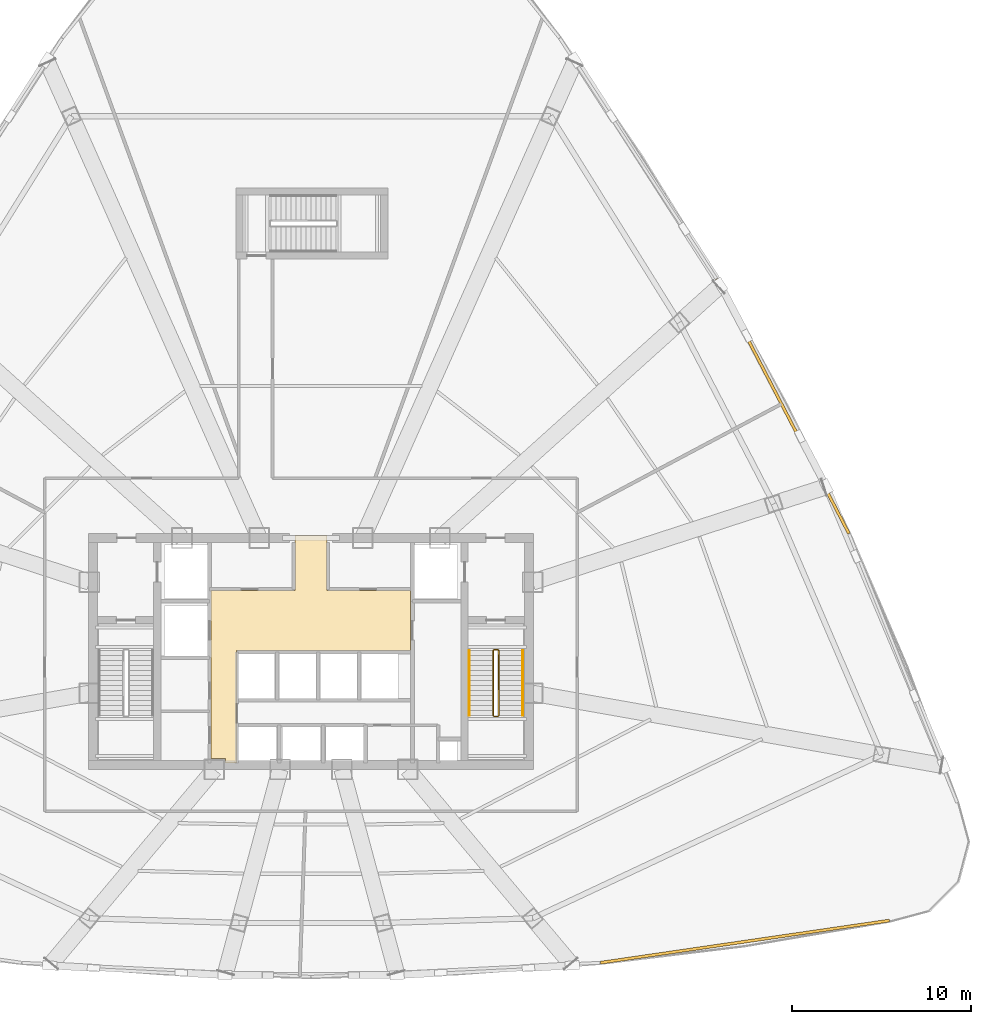
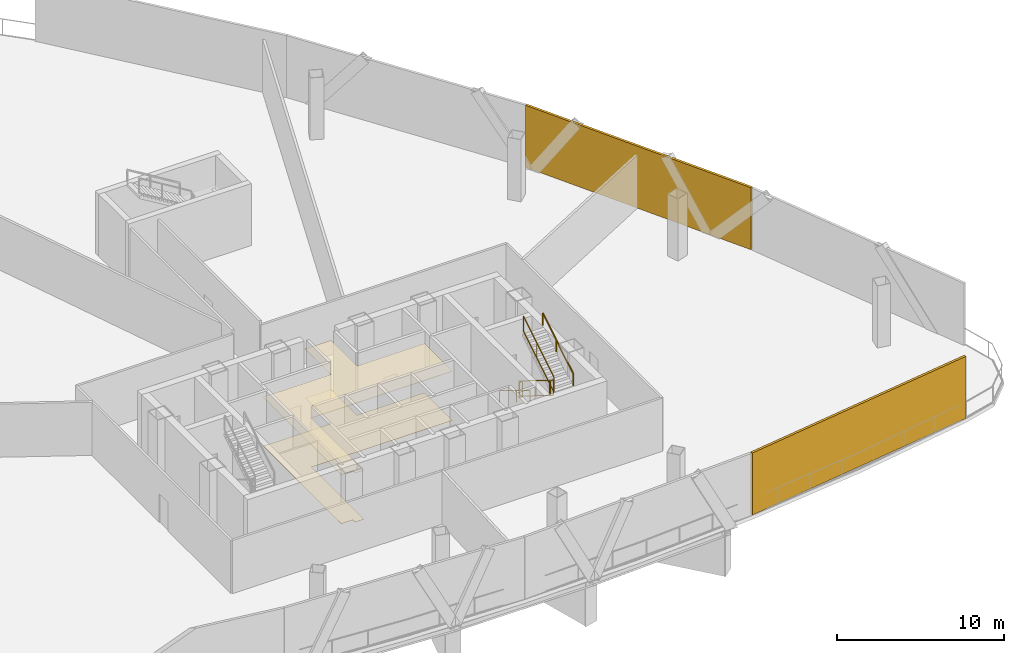
# One storey, part 11 of 14: 6 railings, 2 coverings, 2 shading devices.
"""IFC4 building model written with IfcOpenShell, lengths in metres."""

from ifc_helpers import new_model, si_unit, direction, frame, origin, origin_2d, place, context, subcontext, project, spatial, polyline, rectangle, outline, extrude, source, transform, mapped, material, layer, layer_set, type_object, element, save


model = new_model("IFC4")

# Units and contexts
model_context = context("Model", 3, precision=1e-05, world=origin(), true_north=direction((0.0, 1.0)))
body_context = subcontext(model_context, "Body", "Model", "MODEL_VIEW")
ifc_project = project(units=[si_unit("LENGTHUNIT", "METRE"), si_unit("AREAUNIT", "SQUARE_METRE"), si_unit("VOLUMEUNIT", "CUBIC_METRE"), si_unit("PLANEANGLEUNIT", "RADIAN"), si_unit("MASSUNIT", "GRAM", prefix="KILO"), si_unit("THERMODYNAMICTEMPERATUREUNIT", "KELVIN"), si_unit("POWERUNIT", "WATT")], contexts=[model_context])

# Site, building, storey
site_placement = place(None, origin())
site = spatial("IfcSite", under=ifc_project, at=site_placement, CompositionType="ELEMENT")
building_placement = place(site_placement, origin())
building = spatial("IfcBuilding", under=site, at=building_placement, Name="Yunzhuo Pagoda Commons", CompositionType="ELEMENT")
storey_placement = place(building_placement, frame((0.0, 0.0, 224.81005859375)))
storey = spatial("IfcBuildingStorey", under=building, at=storey_placement, Name="L56", CompositionType="ELEMENT", Elevation=224.81005859375)

# Coverings
ifc_material_1 = material(Name="Perforated gypsum acoustic ceiling tile")
ifc_layer_1 = layer(ifc_material_1, 0.030029296875)
ifc_layer_set_1 = layer_set([ifc_layer_1], Name="Perforated gypsum acoustic ceiling tile")
covering_type_1 = type_object("IfcCoveringType", Name="COV-CL2 Ceiling 30", PredefinedType="CEILING", material=ifc_layer_set_1)
covering_1_placement = place(storey_placement, frame((0.0, 0.0, 3.58984375)))
element("IfcCovering", 1, at=covering_1_placement, inside=storey, type_object=covering_type_1, Name="L56 lift lobby acoustic ceiling", PredefinedType="CEILING", context=body_context, shape_type="SweptSolid", body=[
    extrude(outline(polyline([(43.207763671875, 27.85009765625), (43.201904296875, 27.864013671875), (43.187744140625, 27.8701171875), (42.39990234375, 27.8701171875), (42.39990234375, 33.89990234375), (42.39990234375, 37.25), (47.10009765625, 37.25), (47.10009765625, 40.35009765625), (48.89990234375, 40.35009765625), (48.89990234375, 37.25), (53.580078125, 37.25), (53.580078125, 33.89990234375), (43.820068359375, 33.89990234375), (43.820068359375, 27.60009765625), (43.207763671875, 27.60009765625), (43.207763671875, 27.85009765625)])), origin(), (0.0, 0.0, 1.0), 0.030029296875),
])
ifc_material_2 = material(Name="Resilient acoustic studio flooring")
ifc_layer_2 = layer(ifc_material_2, 0.01806640625)
ifc_layer_set_2 = layer_set([ifc_layer_2], Name="Resilient acoustic studio flooring")
covering_type_2 = type_object("IfcCoveringType", Name="COV-FL3 Flooring 18", PredefinedType="FLOORING", material=ifc_layer_set_2)
covering_2_placement = place(storey_placement, origin())
element("IfcCovering", 2, at=covering_2_placement, inside=storey, type_object=covering_type_2, Name="L56 lift lobby flooring", PredefinedType="FLOORING", context=body_context, shape_type="SweptSolid", body=[
    extrude(outline(polyline([(43.207763671875, 27.85009765625), (43.201904296875, 27.864013671875), (43.187744140625, 27.8701171875), (42.39990234375, 27.8701171875), (42.39990234375, 33.89990234375), (42.39990234375, 37.25), (47.10009765625, 37.25), (47.10009765625, 40.35009765625), (48.89990234375, 40.35009765625), (48.89990234375, 37.25), (53.580078125, 37.25), (53.580078125, 33.89990234375), (43.820068359375, 33.89990234375), (43.820068359375, 27.60009765625), (43.207763671875, 27.60009765625), (43.207763671875, 27.85009765625)])), origin(), (0.0, 0.0, 1.0), 0.017822265625),
])

# Railings
ifc_material_3 = material(Name="Anodized aluminium 6063-T6", Category="aluminium")
railing_type_1 = type_object("IfcRailingType", Name="GR-ST2 Stair Well Guardrail 1160", PredefinedType="GUARDRAIL", material=ifc_material_3)
railing_1_placement = place(storey_placement, frame((58.199951171875, 33.89990234375, 0.17138671875)))
element("IfcRailing", 3, at=railing_1_placement, inside=storey, type_object=railing_type_1, Name="L56 ST2 stair guard 1", PredefinedType="GUARDRAIL", context=body_context, shape_type="SweptSolid", body=[
    extrude(rectangle(XDim=0.048095703125, YDim=0.048095703125, at=origin_2d()), frame((0.0, 0.0, 1.1259765625), z_axis=(0.0, -0.852850264322, 0.5221555579), x_axis=(1.0, 0.0, 0.0)), (0.0, 0.0, 1.0), 4.267822265625),
    extrude(rectangle(XDim=0.048095703125, YDim=0.048095703125, at=origin_2d()), frame((0.0, 0.0, 0.02392578125), z_axis=(0.0, -0.852850264322, 0.5221555579), x_axis=(1.0, 0.0, 0.0)), (0.0, 0.0, 1.0), 4.267822265625),
    extrude(rectangle(XDim=0.0419921875, YDim=0.0419921875, at=origin_2d()), origin(), (0.0, 0.0, 1.0), 1.101806640625),
    extrude(rectangle(XDim=0.0419921875, YDim=0.0419921875, at=origin_2d()), frame((0.0, -2.046875, 1.253173828125)), (0.0, 0.0, 1.0), 1.101806640625),
    extrude(rectangle(XDim=0.0419921875, YDim=0.0419921875, at=origin_2d()), frame((0.0, -3.639892578125, 2.228515625)), (0.0, 0.0, 1.0), 1.101806640625),
])
railing_2_placement = place(storey_placement, frame((58.25, 30.2099609375, 2.39990234375)))
element("IfcRailing", 4, at=railing_2_placement, inside=storey, type_object=railing_type_1, Name="L56 ST2 stair guard 2", PredefinedType="GUARDRAIL", context=body_context, shape_type="SweptSolid", body=[
    extrude(rectangle(XDim=0.048095703125, YDim=0.048095703125, at=origin_2d()), frame((0.0, 0.0, 1.1259765625), z_axis=(1.0, 0.0, 0.0), x_axis=(0.0, 1.0, 0.0)), (0.0, 0.0, 1.0), 0.199951171875),
    extrude(rectangle(XDim=0.048095703125, YDim=0.048095703125, at=origin_2d()), frame((0.0, 0.0, 0.02392578125), z_axis=(1.0, 0.0, 0.0), x_axis=(0.0, 1.0, 0.0)), (0.0, 0.0, 1.0), 0.199951171875),
    extrude(rectangle(XDim=0.0419921875, YDim=0.0419921875, at=origin_2d()), origin(), (0.0, 0.0, 1.0), 1.101806640625),
    extrude(rectangle(XDim=0.0419921875, YDim=0.0419921875, at=origin_2d()), frame((0.199951171875, 0.0, 0.0)), (0.0, 0.0, 1.0), 1.101806640625),
])
railing_3_placement = place(storey_placement, frame((58.5, 30.260009765625, 2.5712890625)))
element("IfcRailing", 5, at=railing_3_placement, inside=storey, type_object=railing_type_1, Name="L56 ST2 stair guard 3", PredefinedType="GUARDRAIL", context=body_context, shape_type="SweptSolid", body=[
    extrude(rectangle(XDim=0.048095703125, YDim=0.048095703125, at=origin_2d()), frame((0.0, 0.0, 1.1259765625), z_axis=(0.0, 0.852824790078, 0.522197163366), x_axis=(-1.0, 0.0, 0.0)), (0.0, 0.0, 1.0), 4.26806640625),
    extrude(rectangle(XDim=0.048095703125, YDim=0.048095703125, at=origin_2d()), frame((0.0, 0.0, 0.02392578125), z_axis=(0.0, 0.852824790078, 0.522197163366), x_axis=(-1.0, 0.0, 0.0)), (0.0, 0.0, 1.0), 4.26806640625),
    extrude(rectangle(XDim=0.0419921875, YDim=0.0419921875, at=origin_2d()), origin(), (0.0, 0.0, 1.0), 1.101806640625),
    extrude(rectangle(XDim=0.0419921875, YDim=0.0419921875, at=origin_2d()), frame((0.0, 2.046875, 1.253173828125)), (0.0, 0.0, 1.0), 1.101806640625),
    extrude(rectangle(XDim=0.0419921875, YDim=0.0419921875, at=origin_2d()), frame((0.0, 3.639892578125, 2.228759765625)), (0.0, 0.0, 1.0), 1.101806640625),
])
railing_4_placement = place(storey_placement, frame((58.25, 33.949951171875, 0.0)))
element("IfcRailing", 6, at=railing_4_placement, inside=storey, type_object=railing_type_1, Name="L56 ST2 stair guard 4", PredefinedType="GUARDRAIL", context=body_context, shape_type="SweptSolid", body=[
    extrude(rectangle(XDim=0.048095703125, YDim=0.048095703125, at=origin_2d()), frame((0.0, 0.0, 1.1259765625), z_axis=(1.0, 0.0, 0.0), x_axis=(0.0, 1.0, 0.0)), (0.0, 0.0, 1.0), 0.199951171875),
    extrude(rectangle(XDim=0.048095703125, YDim=0.048095703125, at=origin_2d()), frame((0.0, 0.0, 0.02392578125), z_axis=(1.0, 0.0, 0.0), x_axis=(0.0, 1.0, 0.0)), (0.0, 0.0, 1.0), 0.199951171875),
    extrude(rectangle(XDim=0.0419921875, YDim=0.0419921875, at=origin_2d()), origin(), (0.0, 0.0, 1.0), 1.101806640625),
    extrude(rectangle(XDim=0.0419921875, YDim=0.0419921875, at=origin_2d()), frame((0.199951171875, 0.0, 0.0)), (0.0, 0.0, 1.0), 1.101806640625),
])
railing_type_2 = type_object("IfcRailingType", Name="HR-ST2 Stair Handrail 900", PredefinedType="HANDRAIL", material=ifc_material_3)
railing_5_placement = place(storey_placement, frame((56.85009765625, 33.89990234375, 0.17138671875)))
element("IfcRailing", 7, at=railing_5_placement, inside=storey, type_object=railing_type_2, Name="L56 ST2 stair handrail 1", PredefinedType="HANDRAIL", context=body_context, shape_type="SweptSolid", body=[
    extrude(rectangle(XDim=0.048095703125, YDim=0.048095703125, at=origin_2d()), frame((0.0, 0.0, 0.8759765625), z_axis=(0.0, -0.852850264322, 0.5221555579), x_axis=(1.0, 0.0, 0.0)), (0.0, 0.0, 1.0), 4.267822265625),
    extrude(rectangle(XDim=0.0419921875, YDim=0.0419921875, at=origin_2d()), origin(), (0.0, 0.0, 1.0), 0.851806640625),
    extrude(rectangle(XDim=0.0419921875, YDim=0.0419921875, at=origin_2d()), frame((0.0, -2.046875, 1.253173828125)), (0.0, 0.0, 1.0), 0.851806640625),
    extrude(rectangle(XDim=0.0419921875, YDim=0.0419921875, at=origin_2d()), frame((0.0, -3.639892578125, 2.228515625)), (0.0, 0.0, 1.0), 0.851806640625),
])
railing_6_placement = place(storey_placement, frame((59.85009765625, 30.260009765625, 2.5712890625)))
element("IfcRailing", 8, at=railing_6_placement, inside=storey, type_object=railing_type_2, Name="L56 ST2 stair handrail 2", PredefinedType="HANDRAIL", context=body_context, shape_type="SweptSolid", body=[
    extrude(rectangle(XDim=0.048095703125, YDim=0.048095703125, at=origin_2d()), frame((0.0, 0.0, 0.8759765625), z_axis=(0.0, 0.852824790078, 0.522197163366), x_axis=(-1.0, 0.0, 0.0)), (0.0, 0.0, 1.0), 4.26806640625),
    extrude(rectangle(XDim=0.0419921875, YDim=0.0419921875, at=origin_2d()), origin(), (0.0, 0.0, 1.0), 0.851806640625),
    extrude(rectangle(XDim=0.0419921875, YDim=0.0419921875, at=origin_2d()), frame((0.0, 2.046875, 1.253173828125)), (0.0, 0.0, 1.0), 0.851806640625),
    extrude(rectangle(XDim=0.0419921875, YDim=0.0419921875, at=origin_2d()), frame((0.0, 3.639892578125, 2.228759765625)), (0.0, 0.0, 1.0), 0.851806640625),
])

# Shading devices
ifc_layer_3 = layer(ifc_material_3, 0.159912109375)
ifc_layer_set_3 = layer_set([ifc_layer_3], Name="Anodized aluminium 6063-T6")
shading_device_type = type_object("IfcShadingDeviceType", Name="SH-SCR1 Stormproof Refuge Louvre Screen", PredefinedType="JALOUSIE", material=ifc_layer_set_3)
shared_shape_1 = source(origin(), body_context, "Body", "SweptSolid", [
    extrude(rectangle(XDim=16.335693359375, YDim=0.159912109375, at=origin_2d()), origin(), (0.0, 0.0, 1.0), 4.5400390625),
])
shading_device_1_placement = place(storey_placement, frame((72.288330078125, 17.60888671875, 0.0), z_axis=(0.0, 0.0, 1.0), x_axis=(0.989510666697, 0.144459823108, 0.0)))
element("IfcShadingDevice", 9, at=shading_device_1_placement, inside=storey, type_object=shading_device_type, Name="L56 stormproof refuge louvre screen F1.4", PredefinedType="JALOUSIE", context=body_context, shape_type="MappedRepresentation", body=[
    mapped(shared_shape_1, transform((0.0, 0.0, 0.0), scale=1.0)),
])
shared_shape_2 = source(origin(), body_context, "Body", "SweptSolid", [
    extrude(rectangle(XDim=16.05029296875, YDim=0.159912109375, at=origin_2d()), origin(), (0.0, 0.0, 1.0), 4.5400390625),
])
shading_device_2_placement = place(storey_placement, frame((74.40234375, 47.569580078125, 0.0), z_axis=(0.0, 0.0, 1.0), x_axis=(-0.461206683033, 0.88729273384, 0.0)))
element("IfcShadingDevice", 10, at=shading_device_2_placement, inside=storey, type_object=shading_device_type, Name="L56 stormproof refuge louvre screen F2.2", PredefinedType="JALOUSIE", context=body_context, shape_type="MappedRepresentation", body=[
    mapped(shared_shape_2, transform((0.0, 0.0, 0.0), scale=1.0)),
])

save(model, "model.ifc")
